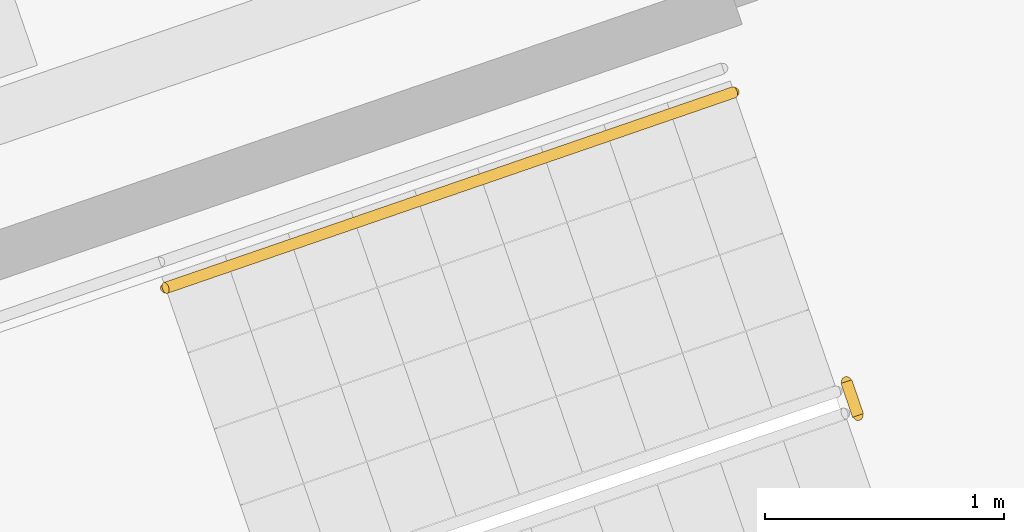
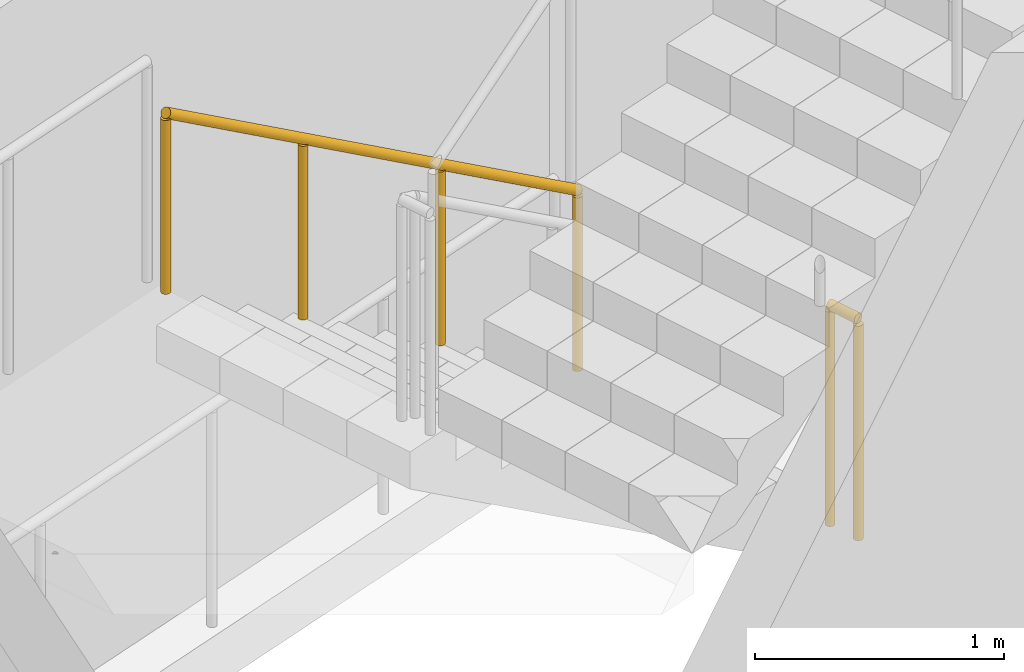
# One storey, part 17 of 19: 2 railings.
"""IFC4 building model written with IfcOpenShell, lengths in metres."""

from ifc_helpers import new_model, si_unit, direction, frame, origin, origin_2d, place, context, subcontext, project, spatial, circle, extrude, material, type_object, element, save


model = new_model("IFC4")

# Units and contexts
model_context = context("Model", 3, precision=1e-05, world=origin(), true_north=direction((0.0, 1.0)))
body_context = subcontext(model_context, "Body", "Model", "MODEL_VIEW")
ifc_project = project(units=[si_unit("LENGTHUNIT", "METRE"), si_unit("AREAUNIT", "SQUARE_METRE"), si_unit("VOLUMEUNIT", "CUBIC_METRE"), si_unit("PLANEANGLEUNIT", "RADIAN"), si_unit("MASSUNIT", "GRAM", prefix="KILO")], contexts=[model_context])

# Site, building, storey
site_placement = place(None, origin())
site = spatial("IfcSite", under=ifc_project, at=site_placement, CompositionType="ELEMENT")
building_placement = place(site_placement, origin())
building = spatial("IfcBuilding", under=site, at=building_placement, Name="Cantera Rosa Tower", CompositionType="ELEMENT")
storey_placement = place(building_placement, frame((0.0, 0.0, 111.699951171875)))
storey = spatial("IfcBuildingStorey", under=building, at=storey_placement, Name="L22", CompositionType="ELEMENT", Elevation=111.699951171875)

# Railings
ifc_material_1 = material(Name="Steel S355J2 (EN 10025-2)", Category="steel")
railing_type_1 = type_object("IfcRailingType", Name="STAIR GUARD 1100", PredefinedType="GUARDRAIL", material=ifc_material_1)
railing_1_placement = place(storey_placement, frame((9.3466796875, 15.742919921875, 0.0)))
element("IfcRailing", 1, at=railing_1_placement, inside=storey, type_object=railing_type_1, Name="L22 ST-21 stair guard 3", PredefinedType="GUARDRAIL", context=body_context, shape_type="SweptSolid", body=[
    extrude(circle(Radius=0.02392578125, at=origin_2d()), frame((0.0, 0.0, 1.076171875), z_axis=(0.325489086777, -0.945545797087, 0.0), x_axis=(0.945545797087, 0.325489086777, 0.0)), (0.0, 0.0, 1.0), 0.14990234375),
    extrude(circle(Radius=0.02099609375, at=origin_2d()), origin(), (0.0, 0.0, 1.0), 1.052001953125),
    extrude(circle(Radius=0.02099609375, at=origin_2d()), frame((0.048828125, -0.141845703125, 0.0)), (0.0, 0.0, 1.0), 1.052001953125),
])
ifc_material_2 = material(Name="Steel S355J2 (EN 10025-2)", Category="steel")
railing_type_2 = type_object("IfcRailingType", Name="STAIR HANDRAIL 900", PredefinedType="HANDRAIL", material=ifc_material_2)
railing_2_placement = place(storey_placement, frame((8.8759765625, 16.955810546875, 0.18994140625)))
element("IfcRailing", 2, at=railing_2_placement, inside=storey, type_object=railing_type_2, Name="L22 ST-21 stair handrail 1", PredefinedType="HANDRAIL", context=body_context, shape_type="SweptSolid", body=[
    extrude(circle(Radius=0.02392578125, at=origin_2d()), frame((0.0, 0.0, 0.8759765625), z_axis=(-0.782354748911, -0.26936284008, 0.56157342106), x_axis=(0.325542759796, -0.945527319301, 0.0)), (0.0, 0.0, 1.0), 3.04541015625),
    extrude(circle(Radius=0.02099609375, at=origin_2d()), origin(), (0.0, 0.0, 1.0), 0.851806640625),
    extrude(circle(Radius=0.02099609375, at=origin_2d()), frame((-0.794189453125, -0.2734375, 0.570068359375)), (0.0, 0.0, 1.0), 0.851806640625),
    extrude(circle(Radius=0.02099609375, at=origin_2d()), frame((-1.58837890625, -0.546875, 1.14013671875)), (0.0, 0.0, 1.0), 0.851806640625),
    extrude(circle(Radius=0.02099609375, at=origin_2d()), frame((-2.382568359375, -0.8203125, 1.710205078125)), (0.0, 0.0, 1.0), 0.851806640625),
])

save(model, "model.ifc")
